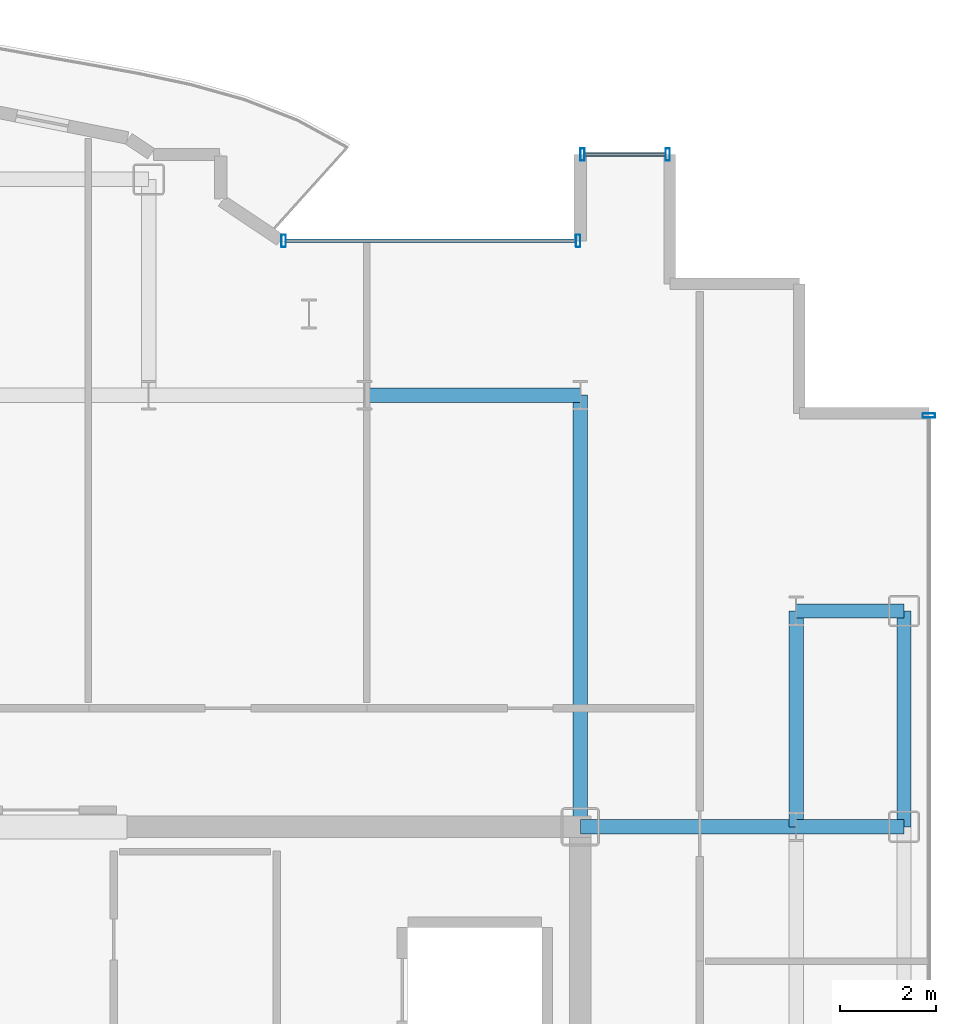
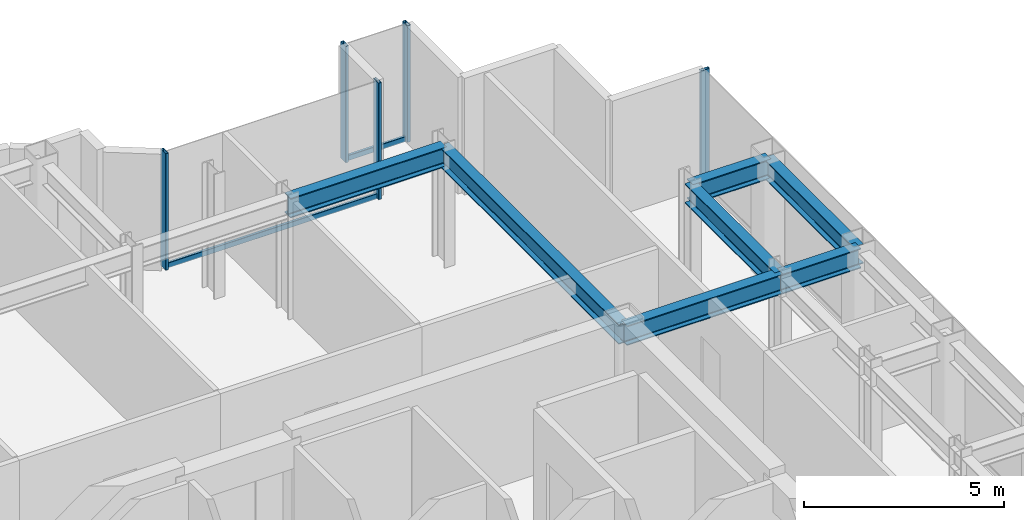
# One storey, part 9 of 17: 7 beams, 7 members, 3 elements without a shape of their own.
"""IFC4 building model written with IfcOpenShell, lengths in metres."""

import ifcopenshell
import ifcopenshell.guid

model = None  # the IFC model being written
_history = None  # IfcOwnerHistory: only IFC2X3 demands one
_inside = {}  # id of a spatial element -> (the spatial element, [elements in it])
_under = {}  # id of a project, library or spatial element -> (it, [spatial elements below it])
_declared = {}  # id of a project -> (the project, [libraries it declares])
_typed = {}  # id of a type object -> (the type object, [elements of that type])
_made_of = {}  # id of a material, layer set ... -> (it, [elements and type objects made of it])


def new_model(schema):
    """Start an empty IFC model of exactly this schema.

    Asked for "IFC4X3", IfcOpenShell would pick the latest addendum, in which some entities
    have other attributes; the version numbers below select the first issue.
    IFC2X3 requires an IfcOwnerHistory on every rooted entity: one is made here for all.
    """
    global model, _history
    if schema == "IFC4X3":
        model = ifcopenshell.file(schema_version=(4, 3, 0, 0))
    else:
        model = ifcopenshell.file(schema=schema)
    _inside.clear()
    _under.clear()
    _declared.clear()
    _typed.clear()
    _made_of.clear()
    _history = None
    if model.schema == "IFC2X3":
        org = make("IfcOrganization", Name="unknown")
        user = make(
            "IfcPersonAndOrganization",
            ThePerson=make("IfcPerson", FamilyName="unknown"),
            TheOrganization=org,
        )
        app = make(
            "IfcApplication",
            ApplicationDeveloper=org,
            Version="unknown",
            ApplicationFullName="unknown",
            ApplicationIdentifier="unknown",
        )
        _history = make(
            "IfcOwnerHistory",
            OwningUser=user,
            OwningApplication=app,
            ChangeAction="ADDED",
            CreationDate=0,
        )
    return model


def make(cls, **values):
    """One entity of the class cls with the attributes given. An attribute that is None is left unset."""
    return model.create_entity(
        cls, **{name: value for name, value in values.items() if value is not None}
    )


def rooted(cls, **values):
    """An entity with a GlobalId (a new one), such as an element, a storey or a relation."""
    return make(cls, GlobalId=ifcopenshell.guid.new(), OwnerHistory=_history, **values)


def si_unit(unit_type, name, prefix=None):
    """IfcSIUnit, for example si_unit("LENGTHUNIT", "METRE", prefix="MILLI")."""
    return make("IfcSIUnit", UnitType=unit_type, Prefix=prefix, Name=name)


def assignment(units):
    """IfcUnitAssignment: the units of a project."""
    return None if units is None else make("IfcUnitAssignment", Units=units)


def point(xyz):
    """IfcCartesianPoint."""
    return None if xyz is None else make("IfcCartesianPoint", Coordinates=xyz)


def direction(xyz):
    """IfcDirection."""
    return None if xyz is None else make("IfcDirection", DirectionRatios=xyz)


def frame(location, z_axis=None, x_axis=None):
    """IfcAxis2Placement3D, a coordinate frame: its origin and axes. An axis left out is left unset."""
    return make(
        "IfcAxis2Placement3D",
        Location=point(location),
        Axis=direction(z_axis),
        RefDirection=direction(x_axis),
    )


def frame_2d(location, x_axis=None):
    """IfcAxis2Placement2D, a coordinate frame in the plane: its origin and x axis."""
    return make(
        "IfcAxis2Placement2D", Location=point(location), RefDirection=direction(x_axis)
    )


def origin():
    """The frame at (0, 0, 0) with its axes left unset."""
    return frame((0.0, 0.0, 0.0))


def origin_2d():
    """The frame at (0, 0) in the plane with its x axis left unset."""
    return frame_2d((0.0, 0.0))


def place(relative_to, where):
    """IfcLocalPlacement: puts the frame where relative to a parent placement (None: the world)."""
    return make(
        "IfcLocalPlacement", PlacementRelTo=relative_to, RelativePlacement=where
    )


def context(
    kind, dimensions, precision=None, world=None, true_north=None, identifier=None
):
    """IfcGeometricRepresentationContext, for example the 3D "Model" context."""
    return make(
        "IfcGeometricRepresentationContext",
        ContextIdentifier=identifier,
        ContextType=kind,
        CoordinateSpaceDimension=dimensions,
        Precision=precision,
        WorldCoordinateSystem=world,
        TrueNorth=true_north,
    )


def subcontext(parent, identifier, kind, view, scale=None):
    """IfcGeometricRepresentationSubContext, for example "Body" below "Model"."""
    return make(
        "IfcGeometricRepresentationSubContext",
        ContextIdentifier=identifier,
        ContextType=kind,
        ParentContext=parent,
        TargetScale=scale,
        TargetView=view,
    )


def project(units=None, contexts=None):
    """IfcProject with its units and contexts."""
    return rooted(
        "IfcProject",
        Name="project",
        RepresentationContexts=contexts,
        UnitsInContext=assignment(units),
    )


def spatial(cls, under=None, at=None, **own):
    """A site, building, storey or space (cls), placed at a placement, below another one or the project."""
    s = rooted(cls, ObjectPlacement=at, **own)
    if under is not None:
        _under.setdefault(under.id(), (under, []))[1].append(s)
    return s


def profile(cls, at=None, kind="AREA", **sizes):
    """A parametric profile (cls). Its sizes go by their IFC names, for example OverallWidth=200.0."""
    return make(cls, ProfileType=kind, Position=at, **sizes)


def hollow_rectangle(**sizes):
    """IfcRectangleHollowProfileDef."""
    return profile("IfcRectangleHollowProfileDef", **sizes)


def i_section(**sizes):
    """IfcIShapeProfileDef."""
    return profile("IfcIShapeProfileDef", **sizes)


def extrude(swept, where, along, depth):
    """IfcExtrudedAreaSolid: the profile swept, set in the frame where, extruded along a direction by depth."""
    return make(
        "IfcExtrudedAreaSolid",
        SweptArea=swept,
        Position=where,
        ExtrudedDirection=direction(along),
        Depth=depth,
    )


def shape(context_of_items, identifier, shape_type, items):
    """IfcShapeRepresentation: the items that make up one representation, for example the "Body"."""
    return make(
        "IfcShapeRepresentation",
        ContextOfItems=context_of_items,
        RepresentationIdentifier=identifier,
        RepresentationType=shape_type,
        Items=items,
    )


def source(mapping_origin, context_of_items, identifier, shape_type, items):
    """IfcRepresentationMap: a shape defined once, which mapped items show again and again."""
    return make(
        "IfcRepresentationMap",
        MappingOrigin=mapping_origin,
        MappedRepresentation=shape(context_of_items, identifier, shape_type, items),
    )


def transform(
    local_origin,
    x_axis=None,
    y_axis=None,
    z_axis=None,
    scale=None,
    scale2=None,
    scale3=None,
    uniform=True,
):
    """IfcCartesianTransformationOperator3D, or its non-uniform kind. x_axis, y_axis, z_axis: its Axis1, 2, 3."""
    if uniform:
        return make(
            "IfcCartesianTransformationOperator3D",
            Axis1=direction(x_axis),
            Axis2=direction(y_axis),
            LocalOrigin=point(local_origin),
            Scale=scale,
            Axis3=direction(z_axis),
        )
    return make(
        "IfcCartesianTransformationOperator3DnonUniform",
        Axis1=direction(x_axis),
        Axis2=direction(y_axis),
        LocalOrigin=point(local_origin),
        Scale=scale,
        Axis3=direction(z_axis),
        Scale2=scale2,
        Scale3=scale3,
    )


def mapped(mapping_source, mapping_target):
    """IfcMappedItem: shows the shape of a source again, moved by a transform."""
    return make(
        "IfcMappedItem", MappingSource=mapping_source, MappingTarget=mapping_target
    )


def material(Name=None, Category=None):
    """IfcMaterial."""
    return make("IfcMaterial", Name=Name, Category=Category)


def layer(
    of_material, thickness, ventilated=None, Name=None, Category=None, Priority=None
):
    """IfcMaterialLayer: one layer of a wall or slab, of a material (None: an air gap)."""
    return make(
        "IfcMaterialLayer",
        Material=of_material,
        LayerThickness=thickness,
        IsVentilated=ventilated,
        Name=Name,
        Category=Category,
        Priority=Priority,
    )


def layer_set(layers, Name=None):
    """IfcMaterialLayerSet."""
    return make("IfcMaterialLayerSet", MaterialLayers=layers, LayerSetName=Name)


def material_profile(
    of_material, cross_section, Name=None, Category=None, Priority=None
):
    """IfcMaterialProfile: a cross section and its material."""
    return make(
        "IfcMaterialProfile",
        Name=Name,
        Material=of_material,
        Profile=cross_section,
        Priority=Priority,
        Category=Category,
    )


def profile_set(profiles, Name=None, composite=None):
    """IfcMaterialProfileSet."""
    return make(
        "IfcMaterialProfileSet",
        Name=Name,
        MaterialProfiles=profiles,
        CompositeProfile=composite,
    )


def made_of(thing, what):
    """Note that an element or type object is made of a material, layer set ...; save() writes the relation."""
    if what is not None:
        _made_of.setdefault(what.id(), (what, []))[1].append(thing)
    return thing


def type_object(cls, material=None, **own):
    """A type object (cls), such as IfcWallType, which elements share."""
    return made_of(rooted(cls, **own), material)


def element(
    cls,
    number,
    at=None,
    inside=None,
    cuts=None,
    type_object=None,
    material=None,
    context=None,
    identifier="Body",
    shape_type=None,
    held_by="IfcProductDefinitionShape",
    body=None,
    shapes=None,
    **own,
):
    """One element of the class cls, such as IfcWall. Its Tag is "e" and its number.

    at: its placement. inside: the storey or other place that contains it. cuts: it is an
    opening in that element (IfcRelVoidsElement). A single representation is given by context,
    identifier, shape_type and body (its items); several are given by shapes. held_by: the class
    of the entity that holds the representations. save() writes the other relations.
    """
    e = rooted(cls, Tag="e%d" % number, ObjectPlacement=at, **own)
    if body is not None:
        shapes = [shape(context, identifier, shape_type, body)]
    if shapes is not None:
        e.Representation = make(held_by, Representations=shapes)
    if inside is not None:
        _inside.setdefault(inside.id(), (inside, []))[1].append(e)
    if cuts is not None:
        rooted(
            "IfcRelVoidsElement", RelatingBuildingElement=cuts, RelatedOpeningElement=e
        )
    if type_object is not None:
        _typed.setdefault(type_object.id(), (type_object, []))[1].append(e)
    return made_of(e, material)


def aggregate(whole, parts):
    """IfcRelAggregates: a whole, such as a stair, and the parts it consists of."""
    return rooted("IfcRelAggregates", RelatingObject=whole, RelatedObjects=parts)


def save(model, path):
    """Write the relations noted so far, then the file.

    IfcRelAggregates (storeys below a building ...), IfcRelContainedInSpatialStructure (elements
    in a storey), IfcRelDefinesByType, IfcRelAssociatesMaterial and IfcRelDeclares: one each for
    every whole, place, type object, material and project.
    """
    for whole, parts in _under.values():
        aggregate(whole, parts)
    for where, things in _inside.values():
        rooted(
            "IfcRelContainedInSpatialStructure",
            RelatedElements=things,
            RelatingStructure=where,
        )
    for kind, things in _typed.values():
        rooted("IfcRelDefinesByType", RelatedObjects=things, RelatingType=kind)
    for what, things in _made_of.values():
        rooted("IfcRelAssociatesMaterial", RelatedObjects=things, RelatingMaterial=what)
    for by, libraries in _declared.values():
        rooted("IfcRelDeclares", RelatingContext=by, RelatedDefinitions=libraries)
    model.write(path)


model = new_model("IFC4")

# Units and contexts
model_context = context("Model", 3, precision=1e-05, world=origin(), true_north=direction((0.0, 1.0)))
body_context = subcontext(model_context, "Body", "Model", "MODEL_VIEW")
ifc_project = project(units=[si_unit("LENGTHUNIT", "METRE"), si_unit("AREAUNIT", "SQUARE_METRE"), si_unit("VOLUMEUNIT", "CUBIC_METRE"), si_unit("PLANEANGLEUNIT", "RADIAN"), si_unit("MASSUNIT", "GRAM", prefix="KILO")], contexts=[model_context])

# Site, building, storey
site_placement = place(None, origin())
site = spatial("IfcSite", under=ifc_project, at=site_placement, CompositionType="ELEMENT")
building_placement = place(site_placement, origin())
building = spatial("IfcBuilding", under=site, at=building_placement, Name="Nefas-Gora Pilgrimage Tower", CompositionType="ELEMENT")
storey_placement = place(building_placement, frame((0.0, 0.0, 279.800048828125)))
storey = spatial("IfcBuildingStorey", under=building, at=storey_placement, Name="L70", CompositionType="ELEMENT", Elevation=279.800048828125)

# Beams
ifc_material_1 = material(Name="Steel S355", Category="steel")
ifc_material_profile_1 = material_profile(ifc_material_1, i_section(OverallWidth=0.300048828125, OverallDepth=0.60009765625, WebThickness=0.015380859375, FlangeThickness=0.030029296875, FilletRadius=0.027099609375, at=origin_2d()), Name="HEB 600")
ifc_profile_set_1 = profile_set([ifc_material_profile_1], Name="Steel S355")
beam_type_1 = type_object("IfcBeamType", Name="BM-SPN-HEB450", PredefinedType="SPANDREL", material=ifc_profile_set_1)
shared_shape_1 = source(origin(), body_context, "Body", "SweptSolid", [
    extrude(i_section(OverallWidth=0.300048828125, OverallDepth=0.60009765625, WebThickness=0.015380859375, FlangeThickness=0.030029296875, FilletRadius=0.027099609375, at=origin_2d()), origin(), (0.0, 0.0, 1.0), 4.5),
])
beam_1_placement = place(storey_placement, frame((18.0, 9.0, 3.25), z_axis=(0.0, 1.0, 0.0), x_axis=(-1.0, 0.0, 0.0)))
element("IfcBeam", 1, at=beam_1_placement, inside=storey, type_object=beam_type_1, Name="L70 SP-03 beam", PredefinedType="SPANDREL", context=body_context, shape_type="MappedRepresentation", body=[
    mapped(shared_shape_1, transform((0.0, 0.0, 0.0), x_axis=(1.0, 0.0, 0.0), y_axis=(0.0, 1.0, 0.0), z_axis=(0.0, 0.0, 1.0), scale=1.0)),
])
ifc_material_profile_2 = material_profile(ifc_material_1, i_section(OverallWidth=0.300048828125, OverallDepth=0.60009765625, WebThickness=0.015380859375, FlangeThickness=0.030029296875, FilletRadius=0.027099609375, at=origin_2d()), Name="HEB 600")
ifc_profile_set_2 = profile_set([ifc_material_profile_2], Name="Steel S355")
beam_type_2 = type_object("IfcBeamType", Name="BM-GIR-HEB600", PredefinedType="BEAM", material=ifc_profile_set_2)
shared_shape_2 = source(origin(), body_context, "Body", "SweptSolid", [
    extrude(i_section(OverallWidth=0.300048828125, OverallDepth=0.60009765625, WebThickness=0.015380859375, FlangeThickness=0.030029296875, FilletRadius=0.027099609375, at=origin_2d()), origin(), (0.0, 0.0, 1.0), 9.0),
])
beam_2_placement = place(storey_placement, frame((11.25, 9.0, 3.25), z_axis=(0.0, 1.0, 0.0), x_axis=(-1.0, 0.0, 0.0)))
element("IfcBeam", 2, at=beam_2_placement, inside=storey, type_object=beam_type_2, Name="L70 G-04 beam", PredefinedType="BEAM", context=body_context, shape_type="MappedRepresentation", body=[
    mapped(shared_shape_2, transform((0.0, 0.0, 0.0), x_axis=(1.0, 0.0, 0.0), y_axis=(0.0, 1.0, 0.0), z_axis=(0.0, 0.0, 1.0), scale=1.0)),
])
shared_shape_3 = source(origin(), body_context, "Body", "SweptSolid", [
    extrude(i_section(OverallWidth=0.300048828125, OverallDepth=0.60009765625, WebThickness=0.015380859375, FlangeThickness=0.030029296875, FilletRadius=0.027099609375, at=origin_2d()), origin(), (0.0, 0.0, 1.0), 4.5),
])
for number, where, z_axis, x_axis, name in (
    (3, (6.75, 18.0, 3.25), (1.0, 0.0, 0.0), (0.0, 1.0, 0.0), "L70 G-04 beam"),
    (4, (11.25, 9.0, 3.25), (1.0, 0.0, 0.0), (0.0, 1.0, 0.0), "L70 G-04 beam"),
    (5, (15.75, 9.0, 3.25), (0.0, 1.0, 0.0), (-1.0, 0.0, 0.0), "L70 G-04 beam"),
):
    element("IfcBeam", number, at=place(storey_placement, frame(where, z_axis=z_axis, x_axis=x_axis)), inside=storey, type_object=beam_type_2, Name=name, PredefinedType="BEAM", context=body_context, shape_type="MappedRepresentation", body=[
        mapped(shared_shape_3, transform((0.0, 0.0, 0.0), x_axis=(1.0, 0.0, 0.0), y_axis=(0.0, 1.0, 0.0), z_axis=(0.0, 0.0, 1.0), scale=1.0)),
    ])
shared_shape_4 = source(origin(), body_context, "Body", "SweptSolid", [
    extrude(i_section(OverallWidth=0.300048828125, OverallDepth=0.60009765625, WebThickness=0.015380859375, FlangeThickness=0.030029296875, FilletRadius=0.027099609375, at=origin_2d()), origin(), (0.0, 0.0, 1.0), 2.25),
])
for number, where, z_axis, x_axis, name in (
    (6, (15.75, 9.0, 3.25), (1.0, 0.0, 0.0), (0.0, 1.0, 0.0), "L70 G-04 beam"),
    (7, (15.75, 13.5, 3.25), (1.0, 0.0, 0.0), (0.0, 1.0, 0.0), "L70 G-04 beam"),
):
    element("IfcBeam", number, at=place(storey_placement, frame(where, z_axis=z_axis, x_axis=x_axis)), inside=storey, type_object=beam_type_2, Name=name, PredefinedType="BEAM", context=body_context, shape_type="MappedRepresentation", body=[
        mapped(shared_shape_4, transform((0.0, 0.0, 0.0), x_axis=(1.0, 0.0, 0.0), y_axis=(0.0, 1.0, 0.0), z_axis=(0.0, 0.0, 1.0), scale=1.0)),
    ])

# Curtain wall, members
ifc_material_2 = material(Name="Dark ceramic-fritted solar-control aluminium-glass curtain wall", Category="aluminium")
ifc_layer_1 = layer(ifc_material_2, 0.219970703125)
ifc_layer_set_1 = layer_set([ifc_layer_1], Name="Dark ceramic-fritted solar-control aluminium-glass curtain wall")
curtain_wall_type_1 = type_object("IfcCurtainWallType", Name="CW-SYS-5", PredefinedType="NOTDEFINED", material=ifc_layer_set_1)
curtain_wall_1_placement = place(storey_placement, origin())
curtain_wall_1 = element("IfcCurtainWall", 8, at=curtain_wall_1_placement, inside=storey, type_object=curtain_wall_type_1, Name="L70 Unitised Curtain Wall CW5", PredefinedType="NOTDEFINED")
ifc_material_3 = material(Name="Anodised architectural aluminium", Category="aluminium")
ifc_material_profile_3 = material_profile(ifc_material_3, hollow_rectangle(XDim=0.090087890625, YDim=0.260009765625, WallThickness=0.006103515625, InnerFilletRadius=0.006103515625, OuterFilletRadius=0.011962890625, at=origin_2d()), Name="ALU MULLION 90x260")
ifc_profile_set_3 = profile_set([ifc_material_profile_3], Name="Anodised architectural aluminium")
member_type_1 = type_object("IfcMemberType", Name="CWM-MUL-5", PredefinedType="MULLION", material=ifc_profile_set_3)
shared_shape_5 = source(origin(), body_context, "Body", "SweptSolid", [
    extrude(hollow_rectangle(XDim=0.090087890625, YDim=0.260009765625, WallThickness=0.006103515625, InnerFilletRadius=0.006103515625, OuterFilletRadius=0.011962890625, at=origin_2d()), origin(), (0.0, 0.0, 1.0), 3.550048828125),
])
member_1_placement = place(storey_placement, frame((11.205078125, 21.219970703125, 0.0), z_axis=(0.0, 0.0, 1.0), x_axis=(-1.0, 0.0, 0.0)))
member_1 = element("IfcMember", 9, at=member_1_placement, type_object=member_type_1, Name="CW5 Mullion 1", PredefinedType="MULLION", context=body_context, shape_type="MappedRepresentation", body=[
    mapped(shared_shape_5, transform((0.0, 0.0, 0.0), x_axis=(1.0, 0.0, 0.0), y_axis=(0.0, 1.0, 0.0), z_axis=(0.0, 0.0, 1.0), scale=1.0)),
])
member_2_placement = place(storey_placement, frame((5.06298828125, 21.219970703125, 0.0), z_axis=(0.0, 0.0, 1.0), x_axis=(-1.0, 0.0, 0.0)))
member_2 = element("IfcMember", 10, at=member_2_placement, type_object=member_type_1, Name="CW5 Mullion 2", PredefinedType="MULLION", context=body_context, shape_type="MappedRepresentation", body=[
    mapped(shared_shape_5, transform((0.0, 0.0, 0.0), x_axis=(1.0, 0.0, 0.0), y_axis=(0.0, 1.0, 0.0), z_axis=(0.0, 0.0, 1.0), scale=1.0)),
])
ifc_material_profile_4 = material_profile(ifc_material_3, hollow_rectangle(XDim=0.080078125, YDim=0.159912109375, WallThickness=0.00439453125, InnerFilletRadius=0.00439453125, OuterFilletRadius=0.009033203125, at=origin_2d()), Name="ALU TRANSOM 80x160")
ifc_profile_set_4 = profile_set([ifc_material_profile_4], Name="Anodised architectural aluminium")
member_type_2 = type_object("IfcMemberType", Name="CWM-TRN-5", PredefinedType="USERDEFINED", material=ifc_profile_set_4)
shared_shape_6 = source(origin(), body_context, "Body", "SweptSolid", [
    extrude(hollow_rectangle(XDim=0.080078125, YDim=0.159912109375, WallThickness=0.00439453125, InnerFilletRadius=0.00439453125, OuterFilletRadius=0.009033203125, at=origin_2d()), origin(), (0.0, 0.0, 1.0), 6.052001953125),
])
member_3_placement = place(storey_placement, frame((11.159912109375, 21.219970703125, 0.050048828125), z_axis=(-1.0, 0.0, 0.0), x_axis=(0.0, -1.0, 0.0)))
member_3 = element("IfcMember", 11, at=member_3_placement, type_object=member_type_2, Name="CW5 Spandrel Transom", ObjectType="TRANSOM", PredefinedType="USERDEFINED", context=body_context, shape_type="MappedRepresentation", body=[
    mapped(shared_shape_6, transform((0.0, 0.0, 0.0), x_axis=(1.0, 0.0, 0.0), y_axis=(0.0, 1.0, 0.0), z_axis=(0.0, 0.0, 1.0), scale=1.0)),
])
aggregate(curtain_wall_1, [member_1, member_2, member_3])

# Curtain wall, member
ifc_layer_2 = layer(ifc_material_2, 0.219970703125)
ifc_layer_set_2 = layer_set([ifc_layer_2], Name="Dark ceramic-fritted solar-control aluminium-glass curtain wall")
curtain_wall_type_2 = type_object("IfcCurtainWallType", Name="CW-SYS-4", PredefinedType="NOTDEFINED", material=ifc_layer_set_2)
curtain_wall_2_placement = place(storey_placement, origin())
curtain_wall_2 = element("IfcCurtainWall", 12, at=curtain_wall_2_placement, inside=storey, type_object=curtain_wall_type_2, Name="L70 Unitised Curtain Wall CW4", PredefinedType="NOTDEFINED")
ifc_material_profile_5 = material_profile(ifc_material_3, hollow_rectangle(XDim=0.080078125, YDim=0.159912109375, WallThickness=0.00439453125, InnerFilletRadius=0.00439453125, OuterFilletRadius=0.009033203125, at=origin_2d()), Name="ALU TRANSOM 80x160")
ifc_profile_set_5 = profile_set([ifc_material_profile_5], Name="Anodised architectural aluminium")
member_type_3 = type_object("IfcMemberType", Name="CWM-TRN-4", PredefinedType="USERDEFINED", material=ifc_profile_set_5)
shared_shape_7 = source(origin(), body_context, "Body", "SweptSolid", [
    extrude(hollow_rectangle(XDim=0.080078125, YDim=0.159912109375, WallThickness=0.00439453125, InnerFilletRadius=0.00439453125, OuterFilletRadius=0.009033203125, at=origin_2d()), origin(), (0.0, 0.0, 1.0), 1.68994140625),
])
member_4_placement = place(storey_placement, frame((13.030029296875, 23.02001953125, 0.050048828125), z_axis=(-1.0, 0.0, 0.0), x_axis=(0.0, -1.0, 0.0)))
member_4 = element("IfcMember", 13, at=member_4_placement, type_object=member_type_3, Name="CW4 Spandrel Transom", ObjectType="TRANSOM", PredefinedType="USERDEFINED", context=body_context, shape_type="MappedRepresentation", body=[
    mapped(shared_shape_7, transform((0.0, 0.0, 0.0), x_axis=(1.0, 0.0, 0.0), y_axis=(0.0, 1.0, 0.0), z_axis=(0.0, 0.0, 1.0), scale=1.0)),
])

curtain_wall_3_placement = place(storey_placement, origin())
curtain_wall_3 = element("IfcCurtainWall", 14, at=curtain_wall_3_placement, inside=storey, type_object=curtain_wall_type_2, Name="L70 Unitised Curtain Wall CW4", PredefinedType="NOTDEFINED")
ifc_material_profile_6 = material_profile(ifc_material_3, hollow_rectangle(XDim=0.090087890625, YDim=0.260009765625, WallThickness=0.006103515625, InnerFilletRadius=0.006103515625, OuterFilletRadius=0.011962890625, at=origin_2d()), Name="ALU MULLION 90x260")
ifc_profile_set_6 = profile_set([ifc_material_profile_6], Name="Anodised architectural aluminium")
member_type_4 = type_object("IfcMemberType", Name="CWM-MUL-4", PredefinedType="MULLION", material=ifc_profile_set_6)
shared_shape_8 = source(origin(), body_context, "Body", "SweptSolid", [
    extrude(hollow_rectangle(XDim=0.090087890625, YDim=0.260009765625, WallThickness=0.006103515625, InnerFilletRadius=0.006103515625, OuterFilletRadius=0.011962890625, at=origin_2d()), origin(), (0.0, 0.0, 1.0), 3.550048828125),
])
member_5_placement = place(storey_placement, frame((18.52001953125, 17.574951171875, 0.0), z_axis=(0.0, 0.0, 1.0), x_axis=(0.0, 1.0, 0.0)))
member_5 = element("IfcMember", 15, at=member_5_placement, type_object=member_type_4, Name="CW4 Mullion 3", PredefinedType="MULLION", context=body_context, shape_type="MappedRepresentation", body=[
    mapped(shared_shape_8, transform((0.0, 0.0, 0.0), x_axis=(1.0, 0.0, 0.0), y_axis=(0.0, 1.0, 0.0), z_axis=(0.0, 0.0, 1.0), scale=1.0)),
])
aggregate(curtain_wall_3, [member_5])

# Member
member_6_placement = place(storey_placement, frame((13.074951171875, 23.02001953125, 0.0), z_axis=(0.0, 0.0, 1.0), x_axis=(-1.0, 0.0, 0.0)))
member_6 = element("IfcMember", 16, at=member_6_placement, type_object=member_type_4, Name="CW4 Mullion 1", PredefinedType="MULLION", context=body_context, shape_type="MappedRepresentation", body=[
    mapped(shared_shape_8, transform((0.0, 0.0, 0.0), x_axis=(1.0, 0.0, 0.0), y_axis=(0.0, 1.0, 0.0), z_axis=(0.0, 0.0, 1.0), scale=1.0)),
])

member_7_placement = place(storey_placement, frame((11.294921875, 23.02001953125, 0.0), z_axis=(0.0, 0.0, 1.0), x_axis=(-1.0, 0.0, 0.0)))
member_7 = element("IfcMember", 17, at=member_7_placement, type_object=member_type_4, Name="CW4 Mullion 2", PredefinedType="MULLION", context=body_context, shape_type="MappedRepresentation", body=[
    mapped(shared_shape_8, transform((0.0, 0.0, 0.0), x_axis=(1.0, 0.0, 0.0), y_axis=(0.0, 1.0, 0.0), z_axis=(0.0, 0.0, 1.0), scale=1.0)),
])

aggregate(curtain_wall_2, [member_6, member_7, member_4])

save(model, "model.ifc")
